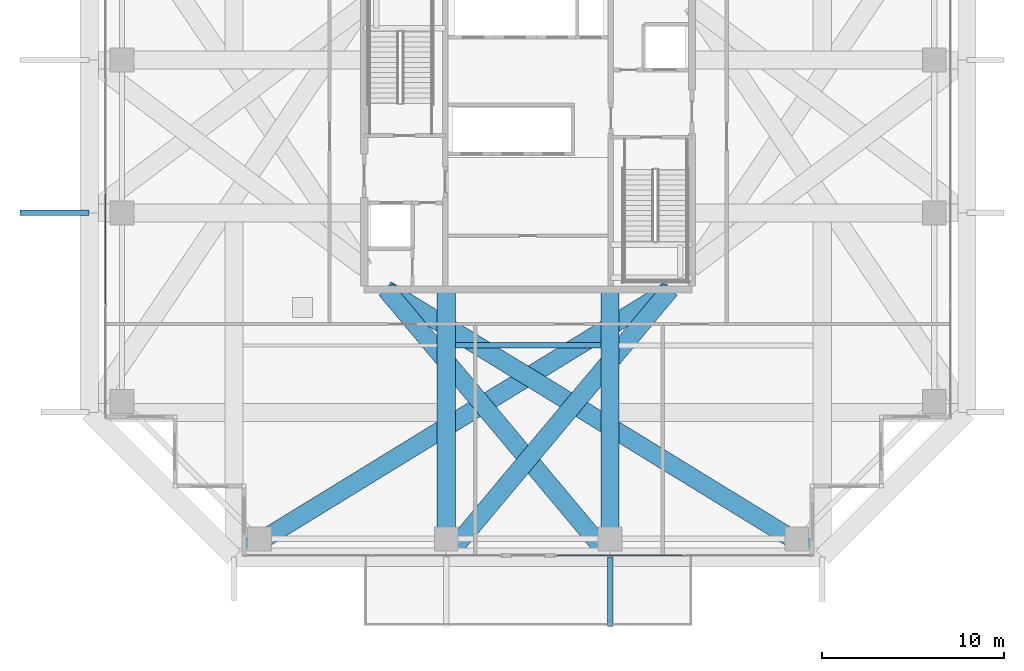
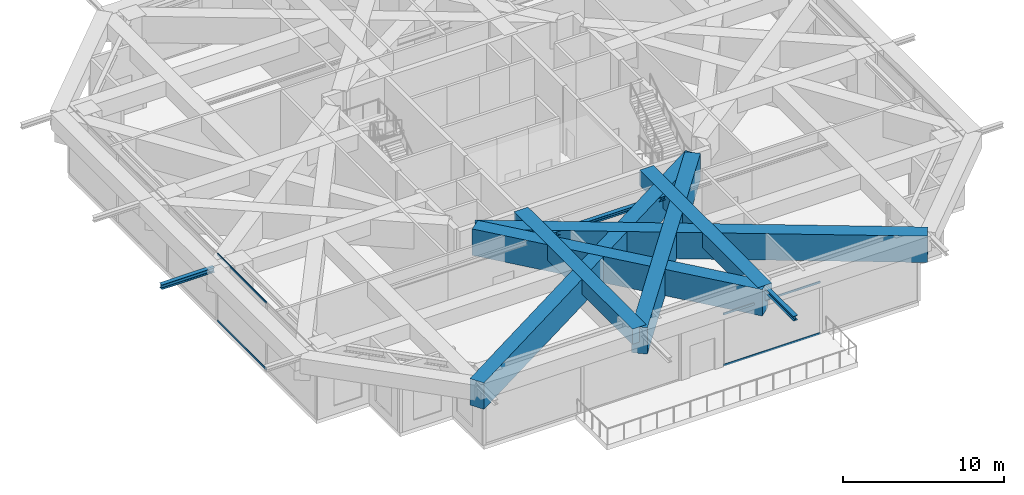
# One storey, part 6 of 38: 9 beams, 4 members, 2 elements without a shape of their own.
"""IFC4 building model written with IfcOpenShell, lengths in metres."""

import ifcopenshell
import ifcopenshell.guid

model = None  # the IFC model being written
_history = None  # IfcOwnerHistory: only IFC2X3 demands one
_inside = {}  # id of a spatial element -> (the spatial element, [elements in it])
_under = {}  # id of a project, library or spatial element -> (it, [spatial elements below it])
_declared = {}  # id of a project -> (the project, [libraries it declares])
_typed = {}  # id of a type object -> (the type object, [elements of that type])
_made_of = {}  # id of a material, layer set ... -> (it, [elements and type objects made of it])


def new_model(schema):
    """Start an empty IFC model of exactly this schema.

    Asked for "IFC4X3", IfcOpenShell would pick the latest addendum, in which some entities
    have other attributes; the version numbers below select the first issue.
    IFC2X3 requires an IfcOwnerHistory on every rooted entity: one is made here for all.
    """
    global model, _history
    if schema == "IFC4X3":
        model = ifcopenshell.file(schema_version=(4, 3, 0, 0))
    else:
        model = ifcopenshell.file(schema=schema)
    _inside.clear()
    _under.clear()
    _declared.clear()
    _typed.clear()
    _made_of.clear()
    _history = None
    if model.schema == "IFC2X3":
        org = make("IfcOrganization", Name="unknown")
        user = make(
            "IfcPersonAndOrganization",
            ThePerson=make("IfcPerson", FamilyName="unknown"),
            TheOrganization=org,
        )
        app = make(
            "IfcApplication",
            ApplicationDeveloper=org,
            Version="unknown",
            ApplicationFullName="unknown",
            ApplicationIdentifier="unknown",
        )
        _history = make(
            "IfcOwnerHistory",
            OwningUser=user,
            OwningApplication=app,
            ChangeAction="ADDED",
            CreationDate=0,
        )
    return model


def make(cls, **values):
    """One entity of the class cls with the attributes given. An attribute that is None is left unset."""
    return model.create_entity(
        cls, **{name: value for name, value in values.items() if value is not None}
    )


def rooted(cls, **values):
    """An entity with a GlobalId (a new one), such as an element, a storey or a relation."""
    return make(cls, GlobalId=ifcopenshell.guid.new(), OwnerHistory=_history, **values)


def si_unit(unit_type, name, prefix=None):
    """IfcSIUnit, for example si_unit("LENGTHUNIT", "METRE", prefix="MILLI")."""
    return make("IfcSIUnit", UnitType=unit_type, Prefix=prefix, Name=name)


def assignment(units):
    """IfcUnitAssignment: the units of a project."""
    return None if units is None else make("IfcUnitAssignment", Units=units)


def point(xyz):
    """IfcCartesianPoint."""
    return None if xyz is None else make("IfcCartesianPoint", Coordinates=xyz)


def direction(xyz):
    """IfcDirection."""
    return None if xyz is None else make("IfcDirection", DirectionRatios=xyz)


def frame(location, z_axis=None, x_axis=None):
    """IfcAxis2Placement3D, a coordinate frame: its origin and axes. An axis left out is left unset."""
    return make(
        "IfcAxis2Placement3D",
        Location=point(location),
        Axis=direction(z_axis),
        RefDirection=direction(x_axis),
    )


def frame_2d(location, x_axis=None):
    """IfcAxis2Placement2D, a coordinate frame in the plane: its origin and x axis."""
    return make(
        "IfcAxis2Placement2D", Location=point(location), RefDirection=direction(x_axis)
    )


def origin():
    """The frame at (0, 0, 0) with its axes left unset."""
    return frame((0.0, 0.0, 0.0))


def origin_2d():
    """The frame at (0, 0) in the plane with its x axis left unset."""
    return frame_2d((0.0, 0.0))


def place(relative_to, where):
    """IfcLocalPlacement: puts the frame where relative to a parent placement (None: the world)."""
    return make(
        "IfcLocalPlacement", PlacementRelTo=relative_to, RelativePlacement=where
    )


def context(
    kind, dimensions, precision=None, world=None, true_north=None, identifier=None
):
    """IfcGeometricRepresentationContext, for example the 3D "Model" context."""
    return make(
        "IfcGeometricRepresentationContext",
        ContextIdentifier=identifier,
        ContextType=kind,
        CoordinateSpaceDimension=dimensions,
        Precision=precision,
        WorldCoordinateSystem=world,
        TrueNorth=true_north,
    )


def subcontext(parent, identifier, kind, view, scale=None):
    """IfcGeometricRepresentationSubContext, for example "Body" below "Model"."""
    return make(
        "IfcGeometricRepresentationSubContext",
        ContextIdentifier=identifier,
        ContextType=kind,
        ParentContext=parent,
        TargetScale=scale,
        TargetView=view,
    )


def project(units=None, contexts=None):
    """IfcProject with its units and contexts."""
    return rooted(
        "IfcProject",
        Name="project",
        RepresentationContexts=contexts,
        UnitsInContext=assignment(units),
    )


def spatial(cls, under=None, at=None, **own):
    """A site, building, storey or space (cls), placed at a placement, below another one or the project."""
    s = rooted(cls, ObjectPlacement=at, **own)
    if under is not None:
        _under.setdefault(under.id(), (under, []))[1].append(s)
    return s


def profile(cls, at=None, kind="AREA", **sizes):
    """A parametric profile (cls). Its sizes go by their IFC names, for example OverallWidth=200.0."""
    return make(cls, ProfileType=kind, Position=at, **sizes)


def rectangle(**sizes):
    """IfcRectangleProfileDef."""
    return profile("IfcRectangleProfileDef", **sizes)


def hollow_rectangle(**sizes):
    """IfcRectangleHollowProfileDef."""
    return profile("IfcRectangleHollowProfileDef", **sizes)


def i_section(**sizes):
    """IfcIShapeProfileDef."""
    return profile("IfcIShapeProfileDef", **sizes)


def extrude(swept, where, along, depth):
    """IfcExtrudedAreaSolid: the profile swept, set in the frame where, extruded along a direction by depth."""
    return make(
        "IfcExtrudedAreaSolid",
        SweptArea=swept,
        Position=where,
        ExtrudedDirection=direction(along),
        Depth=depth,
    )


def shape(context_of_items, identifier, shape_type, items):
    """IfcShapeRepresentation: the items that make up one representation, for example the "Body"."""
    return make(
        "IfcShapeRepresentation",
        ContextOfItems=context_of_items,
        RepresentationIdentifier=identifier,
        RepresentationType=shape_type,
        Items=items,
    )


def source(mapping_origin, context_of_items, identifier, shape_type, items):
    """IfcRepresentationMap: a shape defined once, which mapped items show again and again."""
    return make(
        "IfcRepresentationMap",
        MappingOrigin=mapping_origin,
        MappedRepresentation=shape(context_of_items, identifier, shape_type, items),
    )


def transform(
    local_origin,
    x_axis=None,
    y_axis=None,
    z_axis=None,
    scale=None,
    scale2=None,
    scale3=None,
    uniform=True,
):
    """IfcCartesianTransformationOperator3D, or its non-uniform kind. x_axis, y_axis, z_axis: its Axis1, 2, 3."""
    if uniform:
        return make(
            "IfcCartesianTransformationOperator3D",
            Axis1=direction(x_axis),
            Axis2=direction(y_axis),
            LocalOrigin=point(local_origin),
            Scale=scale,
            Axis3=direction(z_axis),
        )
    return make(
        "IfcCartesianTransformationOperator3DnonUniform",
        Axis1=direction(x_axis),
        Axis2=direction(y_axis),
        LocalOrigin=point(local_origin),
        Scale=scale,
        Axis3=direction(z_axis),
        Scale2=scale2,
        Scale3=scale3,
    )


def mapped(mapping_source, mapping_target):
    """IfcMappedItem: shows the shape of a source again, moved by a transform."""
    return make(
        "IfcMappedItem", MappingSource=mapping_source, MappingTarget=mapping_target
    )


def material(Name=None, Category=None):
    """IfcMaterial."""
    return make("IfcMaterial", Name=Name, Category=Category)


def layer(
    of_material, thickness, ventilated=None, Name=None, Category=None, Priority=None
):
    """IfcMaterialLayer: one layer of a wall or slab, of a material (None: an air gap)."""
    return make(
        "IfcMaterialLayer",
        Material=of_material,
        LayerThickness=thickness,
        IsVentilated=ventilated,
        Name=Name,
        Category=Category,
        Priority=Priority,
    )


def layer_set(layers, Name=None):
    """IfcMaterialLayerSet."""
    return make("IfcMaterialLayerSet", MaterialLayers=layers, LayerSetName=Name)


def material_profile(
    of_material, cross_section, Name=None, Category=None, Priority=None
):
    """IfcMaterialProfile: a cross section and its material."""
    return make(
        "IfcMaterialProfile",
        Name=Name,
        Material=of_material,
        Profile=cross_section,
        Priority=Priority,
        Category=Category,
    )


def profile_set(profiles, Name=None, composite=None):
    """IfcMaterialProfileSet."""
    return make(
        "IfcMaterialProfileSet",
        Name=Name,
        MaterialProfiles=profiles,
        CompositeProfile=composite,
    )


def made_of(thing, what):
    """Note that an element or type object is made of a material, layer set ...; save() writes the relation."""
    if what is not None:
        _made_of.setdefault(what.id(), (what, []))[1].append(thing)
    return thing


def type_object(cls, material=None, **own):
    """A type object (cls), such as IfcWallType, which elements share."""
    return made_of(rooted(cls, **own), material)


def element(
    cls,
    number,
    at=None,
    inside=None,
    cuts=None,
    type_object=None,
    material=None,
    context=None,
    identifier="Body",
    shape_type=None,
    held_by="IfcProductDefinitionShape",
    body=None,
    shapes=None,
    **own,
):
    """One element of the class cls, such as IfcWall. Its Tag is "e" and its number.

    at: its placement. inside: the storey or other place that contains it. cuts: it is an
    opening in that element (IfcRelVoidsElement). A single representation is given by context,
    identifier, shape_type and body (its items); several are given by shapes. held_by: the class
    of the entity that holds the representations. save() writes the other relations.
    """
    e = rooted(cls, Tag="e%d" % number, ObjectPlacement=at, **own)
    if body is not None:
        shapes = [shape(context, identifier, shape_type, body)]
    if shapes is not None:
        e.Representation = make(held_by, Representations=shapes)
    if inside is not None:
        _inside.setdefault(inside.id(), (inside, []))[1].append(e)
    if cuts is not None:
        rooted(
            "IfcRelVoidsElement", RelatingBuildingElement=cuts, RelatedOpeningElement=e
        )
    if type_object is not None:
        _typed.setdefault(type_object.id(), (type_object, []))[1].append(e)
    return made_of(e, material)


def aggregate(whole, parts):
    """IfcRelAggregates: a whole, such as a stair, and the parts it consists of."""
    return rooted("IfcRelAggregates", RelatingObject=whole, RelatedObjects=parts)


def save(model, path):
    """Write the relations noted so far, then the file.

    IfcRelAggregates (storeys below a building ...), IfcRelContainedInSpatialStructure (elements
    in a storey), IfcRelDefinesByType, IfcRelAssociatesMaterial and IfcRelDeclares: one each for
    every whole, place, type object, material and project.
    """
    for whole, parts in _under.values():
        aggregate(whole, parts)
    for where, things in _inside.values():
        rooted(
            "IfcRelContainedInSpatialStructure",
            RelatedElements=things,
            RelatingStructure=where,
        )
    for kind, things in _typed.values():
        rooted("IfcRelDefinesByType", RelatedObjects=things, RelatingType=kind)
    for what, things in _made_of.values():
        rooted("IfcRelAssociatesMaterial", RelatedObjects=things, RelatingMaterial=what)
    for by, libraries in _declared.values():
        rooted("IfcRelDeclares", RelatingContext=by, RelatedDefinitions=libraries)
    model.write(path)


model = new_model("IFC4")

# Units and contexts
model_context = context("Model", 3, precision=1e-05, world=origin(), true_north=direction((0.0, 1.0)))
body_context = subcontext(model_context, "Body", "Model", "MODEL_VIEW")
ifc_project = project(units=[si_unit("LENGTHUNIT", "METRE"), si_unit("AREAUNIT", "SQUARE_METRE"), si_unit("VOLUMEUNIT", "CUBIC_METRE"), si_unit("PLANEANGLEUNIT", "RADIAN"), si_unit("MASSUNIT", "GRAM", prefix="KILO")], contexts=[model_context])

# Site, building, storey
site_placement = place(None, origin())
site = spatial("IfcSite", under=ifc_project, at=site_placement, CompositionType="ELEMENT")
building_placement = place(site_placement, origin())
building = spatial("IfcBuilding", under=site, at=building_placement, Name="Serunith Strait Residences", CompositionType="ELEMENT")
storey_placement = place(building_placement, frame((0.0, 0.0, 204.89990234375)))
storey = spatial("IfcBuildingStorey", under=building, at=storey_placement, Name="L51", CompositionType="ELEMENT", Elevation=204.89990234375)

# Beams
ifc_material_1 = material(Name="Steel S355J2", Category="steel")
ifc_material_profile_1 = material_profile(ifc_material_1, i_section(OverallWidth=0.300048828125, OverallDepth=0.360107421875, WebThickness=0.012451171875, FlangeThickness=0.0224609375, FilletRadius=0.027099609375, at=origin_2d()), Name="HEB 360")
ifc_profile_set_1 = profile_set([ifc_material_profile_1], Name="Steel S355J2")
beam_type_1 = type_object("IfcBeamType", Name="BM-HEB360", PredefinedType="BEAM", material=ifc_profile_set_1)
shared_shape_1 = source(origin(), body_context, "Body", "SweptSolid", [
    extrude(i_section(OverallWidth=0.300048828125, OverallDepth=0.360107421875, WebThickness=0.012451171875, FlangeThickness=0.0224609375, FilletRadius=0.027099609375, at=origin_2d()), origin(), (0.0, 0.0, 1.0), 3.800048828125),
])
for number, where, z_axis, x_axis, name in (
    (1, (36.89990234375, 2.10009765625, 4.927001953125), (0.0, -1.0, 0.0), (1.0, 0.0, 0.0), "L52 Cantilevered Balcony Rib TC-S3"),
    (2, (8.300048828125, 21.0, 4.927001953125), (-1.0, 0.0, 0.0), (0.0, -1.0, 0.0), "L52 Cantilevered Balcony Rib TC-W2"),
):
    element("IfcBeam", number, at=place(storey_placement, frame(where, z_axis=z_axis, x_axis=x_axis)), inside=storey, type_object=beam_type_1, Name=name, PredefinedType="BEAM", context=body_context, shape_type="MappedRepresentation", body=[
        mapped(shared_shape_1, transform((0.0, 0.0, 0.0), scale=1.0)),
    ])
ifc_material_2 = material(Name="Concrete C80/95", Category="concrete")
ifc_material_profile_2 = material_profile(ifc_material_2, rectangle(XDim=1.0, YDim=1.14990234375, at=origin_2d()), Name="RC 1000x1150")
ifc_profile_set_2 = profile_set([ifc_material_profile_2], Name="Concrete C80/95")
beam_type_2 = type_object("IfcBeamType", Name="BM-XFER-1000x1150", PredefinedType="BEAM", material=ifc_profile_set_2)
shared_shape_2 = source(origin(), body_context, "Body", "SweptSolid", [
    extrude(rectangle(XDim=1.0, YDim=1.14990234375, at=origin_2d()), origin(), (0.0, 0.0, 1.0), 14.699951171875),
])
for number, where, z_axis, x_axis, name in (
    (3, (27.89990234375, 16.800048828125, 4.53515625), (0.0, -1.0, 0.0), (1.0, 0.0, 0.0), "L51 Primary Floor Girder TC-S2"),
    (4, (36.89990234375, 16.800048828125, 4.53515625), (0.0, -1.0, 0.0), (1.0, 0.0, 0.0), "L51 Primary Floor Girder TC-S3"),
):
    element("IfcBeam", number, at=place(storey_placement, frame(where, z_axis=z_axis, x_axis=x_axis)), inside=storey, type_object=beam_type_2, Name=name, PredefinedType="BEAM", context=body_context, shape_type="MappedRepresentation", body=[
        mapped(shared_shape_2, transform((0.0, 0.0, 0.0), scale=1.0)),
    ])
ifc_material_profile_3 = material_profile(ifc_material_2, rectangle(XDim=1.0, YDim=2.0, at=origin_2d()), Name="RC 1000x2000")
ifc_profile_set_3 = profile_set([ifc_material_profile_3], Name="Concrete C80/95")
beam_type_3 = type_object("IfcBeamType", Name="BM-XFER-1000x2000", PredefinedType="BEAM", material=ifc_profile_set_3)
shared_shape_3 = source(origin(), body_context, "Body", "SweptSolid", [
    extrude(rectangle(XDim=1.0, YDim=2.0, at=origin_2d()), origin(), (0.0, 0.0, 1.0), 28.101318359375),
])
for number, where, z_axis, x_axis, name in (
    (5, (40.199951171875, 16.800048828125, 4.110107421875), (-0.852268944261, -0.523103858377, 0.0), (0.523103858377, -0.852268944261, 0.0), "L51 Flare Transfer Girder TC-S1"),
    (6, (24.60009765625, 16.800048828125, 4.110107421875), (0.852268944261, -0.523103858377, 0.0), (0.523103858377, 0.852268944261, 0.0), "L51 Flare Transfer Girder TC-S4"),
):
    element("IfcBeam", number, at=place(storey_placement, frame(where, z_axis=z_axis, x_axis=x_axis)), inside=storey, type_object=beam_type_3, Name=name, PredefinedType="BEAM", context=body_context, shape_type="MappedRepresentation", body=[
        mapped(shared_shape_3, transform((0.0, 0.0, 0.0), scale=1.0)),
    ])
shared_shape_4 = source(origin(), body_context, "Body", "SweptSolid", [
    extrude(rectangle(XDim=1.0, YDim=2.0, at=origin_2d()), origin(), (0.0, 0.0, 1.0), 19.167236328125),
])
beam_1_placement = place(storey_placement, frame((40.199951171875, 16.800048828125, 4.110107421875), z_axis=(-0.641725384857, -0.766934502047, 0.0), x_axis=(0.766934502047, -0.641725384857, 0.0)))
element("IfcBeam", 7, at=beam_1_placement, inside=storey, type_object=beam_type_3, Name="L51 Flare Transfer Girder TC-S2", PredefinedType="BEAM", context=body_context, shape_type="MappedRepresentation", body=[
    mapped(shared_shape_4, transform((0.0, 0.0, 0.0), scale=1.0)),
])
shared_shape_5 = source(origin(), body_context, "Body", "SweptSolid", [
    extrude(rectangle(XDim=1.0, YDim=2.0, at=origin_2d()), origin(), (0.0, 0.0, 1.0), 19.1669921875),
])
beam_2_placement = place(storey_placement, frame((24.60009765625, 16.800048828125, 4.110107421875), z_axis=(0.641717892744, -0.766940770941, 0.0), x_axis=(0.766940770941, 0.641717892744, 0.0)))
element("IfcBeam", 8, at=beam_2_placement, inside=storey, type_object=beam_type_3, Name="L51 Flare Transfer Girder TC-S3", PredefinedType="BEAM", context=body_context, shape_type="MappedRepresentation", body=[
    mapped(shared_shape_5, transform((0.0, 0.0, 0.0), scale=1.0)),
])
ifc_material_profile_4 = material_profile(ifc_material_1, i_section(OverallWidth=0.300048828125, OverallDepth=0.300048828125, WebThickness=0.010986328125, FlangeThickness=0.01904296875, FilletRadius=0.027099609375, at=origin_2d()), Name="HEB 300")
ifc_profile_set_4 = profile_set([ifc_material_profile_4], Name="Steel S355J2")
beam_type_4 = type_object("IfcBeamType", Name="BM-HEB300", PredefinedType="JOIST", material=ifc_profile_set_4)
shared_shape_6 = source(origin(), body_context, "Body", "SweptSolid", [
    extrude(i_section(OverallWidth=0.300048828125, OverallDepth=0.300048828125, WebThickness=0.010986328125, FlangeThickness=0.01904296875, FilletRadius=0.027099609375, at=origin_2d()), origin(), (0.0, 0.0, 1.0), 8.0),
])
beam_3_placement = place(storey_placement, frame((28.39990234375, 13.72509765625, 4.95703125), z_axis=(1.0, 0.0, 0.0), x_axis=(0.0, 1.0, 0.0)))
element("IfcBeam", 9, at=beam_3_placement, inside=storey, type_object=beam_type_4, Name="L51 Composite Floor Joist 02", PredefinedType="JOIST", context=body_context, shape_type="MappedRepresentation", body=[
    mapped(shared_shape_6, transform((0.0, 0.0, 0.0), scale=1.0)),
])

# Curtain wall, members
ifc_material_3 = material(Name="Pale-Silver PVDF Aluminium", Category="aluminium")
ifc_layer = layer(ifc_material_3, 0.199951171875, Name="Pale-Silver PVDF Aluminium")
ifc_layer_set = layer_set([ifc_layer], Name="Pale-Silver PVDF Aluminium")
curtain_wall_type = type_object("IfcCurtainWallType", Name="CW-SYS3", PredefinedType="NOTDEFINED", material=ifc_layer_set)
curtain_wall_1_placement = place(storey_placement, origin())
curtain_wall_1 = element("IfcCurtainWall", 10, at=curtain_wall_1_placement, inside=storey, type_object=curtain_wall_type, Name="L51 S Unitised Fritted Curtain Wall", PredefinedType="NOTDEFINED")
ifc_material_profile_5 = material_profile(ifc_material_3, hollow_rectangle(XDim=0.06005859375, YDim=0.159912109375, WallThickness=0.00341796875, InnerFilletRadius=0.00537109375, OuterFilletRadius=0.0087890625, at=origin_2d()), Name="ALU 160x60x3.5")
ifc_profile_set_5 = profile_set([ifc_material_profile_5], Name="Pale-Silver PVDF Aluminium")
member_type = type_object("IfcMemberType", Name="CW-SYS3-TRAN", PredefinedType="USERDEFINED", material=ifc_profile_set_5)
shared_shape_7 = source(origin(), body_context, "Body", "SweptSolid", [
    extrude(hollow_rectangle(XDim=0.06005859375, YDim=0.159912109375, WallThickness=0.00341796875, InnerFilletRadius=0.00537109375, OuterFilletRadius=0.0087890625, at=origin_2d()), origin(), (0.0, 0.0, 1.0), 6.9375),
])
member_1_placement = place(storey_placement, frame((33.97509765625, 2.199951171875, 0.030029296875), z_axis=(1.0, 0.0, 0.0), x_axis=(0.0, 1.0, 0.0)))
member_1 = element("IfcMember", 11, at=member_1_placement, type_object=member_type, Name="CW-3 transom 1.1", ObjectType="TRANSOM", PredefinedType="USERDEFINED", context=body_context, shape_type="MappedRepresentation", body=[
    mapped(shared_shape_7, transform((0.0, 0.0, 0.0), scale=1.0)),
])
member_2_placement = place(storey_placement, frame((33.97509765625, 2.199951171875, 3.9150390625), z_axis=(1.0, 0.0, 0.0), x_axis=(0.0, 1.0, 0.0)))
member_2 = element("IfcMember", 12, at=member_2_placement, type_object=member_type, Name="CW-3 transom 1.2", ObjectType="TRANSOM", PredefinedType="USERDEFINED", context=body_context, shape_type="MappedRepresentation", body=[
    mapped(shared_shape_7, transform((0.0, 0.0, 0.0), scale=1.0)),
])
aggregate(curtain_wall_1, [member_1, member_2])

curtain_wall_2_placement = place(storey_placement, origin())
curtain_wall_2 = element("IfcCurtainWall", 13, at=curtain_wall_2_placement, inside=storey, type_object=curtain_wall_type, Name="L51 W Unitised Fritted Curtain Wall", PredefinedType="NOTDEFINED")
shared_shape_8 = source(origin(), body_context, "Body", "SweptSolid", [
    extrude(hollow_rectangle(XDim=0.06005859375, YDim=0.159912109375, WallThickness=0.00341796875, InnerFilletRadius=0.00537109375, OuterFilletRadius=0.0087890625, at=origin_2d()), origin(), (0.0, 0.0, 1.0), 6.0849609375),
])
member_3_placement = place(storey_placement, frame((9.199951171875, 22.08251953125, 0.030029296875), z_axis=(0.0, -1.0, 0.0), x_axis=(1.0, 0.0, 0.0)))
member_3 = element("IfcMember", 14, at=member_3_placement, type_object=member_type, Name="CW-3 transom 4.1", ObjectType="TRANSOM", PredefinedType="USERDEFINED", context=body_context, shape_type="MappedRepresentation", body=[
    mapped(shared_shape_8, transform((0.0, 0.0, 0.0), scale=1.0)),
])
member_4_placement = place(storey_placement, frame((9.199951171875, 22.08251953125, 5.065185546875), z_axis=(0.0, -1.0, 0.0), x_axis=(1.0, 0.0, 0.0)))
member_4 = element("IfcMember", 15, at=member_4_placement, type_object=member_type, Name="CW-3 transom 4.2", ObjectType="TRANSOM", PredefinedType="USERDEFINED", context=body_context, shape_type="MappedRepresentation", body=[
    mapped(shared_shape_8, transform((0.0, 0.0, 0.0), scale=1.0)),
])
aggregate(curtain_wall_2, [member_3, member_4])

save(model, "model.ifc")
